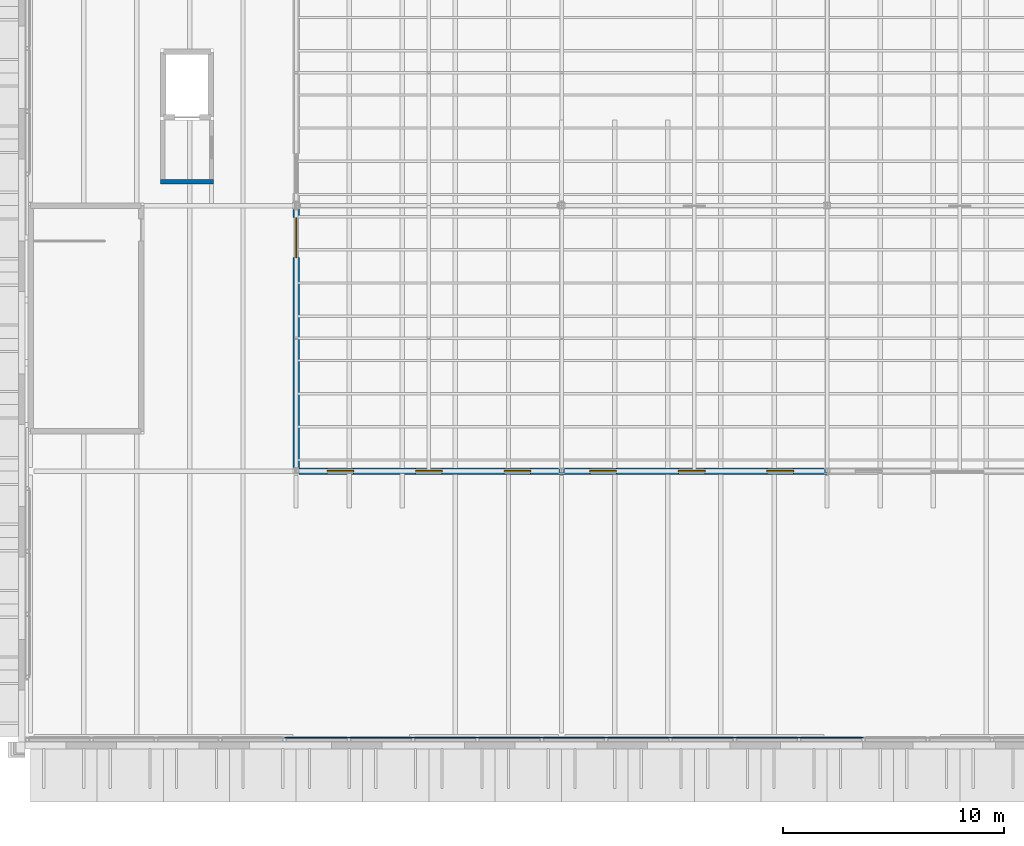
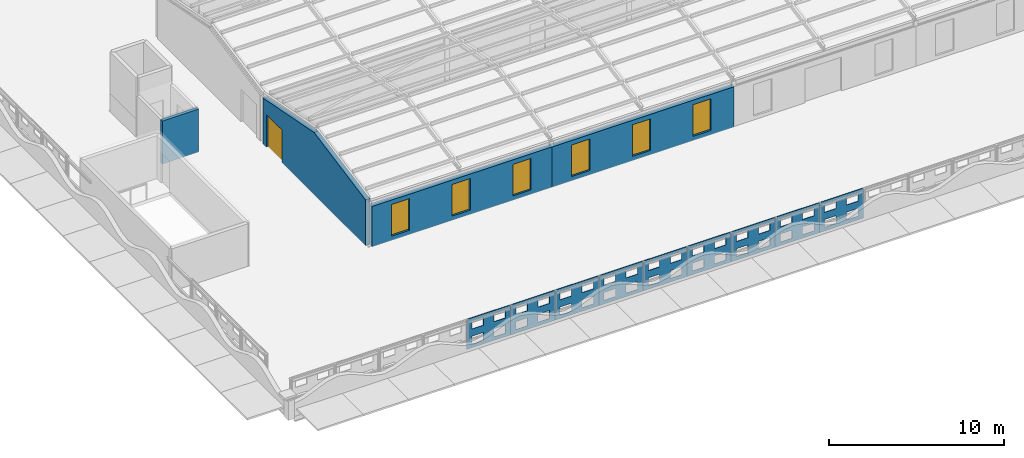
# One storey, part 56 of 91: 13 walls, 6 windows, 1 door, 43 openings.
"""IFC4 building model written with IfcOpenShell, lengths in metres."""

from ifc_helpers import new_model, si_unit, direction, frame, frame_2d, origin, place, context, subcontext, project, spatial, polyline, rectangle, outline, extrude, material, layer, layer_set, type_object, element, fill, save


model = new_model("IFC4")

# Units and contexts
model_context = context("Model", 3, precision=1e-05, world=origin(), true_north=direction((0.0, 1.0)))
body_context = subcontext(model_context, "Body", "Model", "MODEL_VIEW")
ifc_project = project(units=[si_unit("LENGTHUNIT", "METRE"), si_unit("AREAUNIT", "SQUARE_METRE"), si_unit("VOLUMEUNIT", "CUBIC_METRE"), si_unit("PLANEANGLEUNIT", "RADIAN"), si_unit("MASSUNIT", "GRAM", prefix="KILO")], contexts=[model_context])

# Site, building, storey
site_placement = place(None, origin())
site = spatial("IfcSite", under=ifc_project, at=site_placement, CompositionType="ELEMENT")
building_placement = place(site_placement, origin())
building = spatial("IfcBuilding", under=site, at=building_placement, Name="Ravi Spectrum Wholesale Market", CompositionType="ELEMENT")
storey_placement = place(building_placement, frame((0.0, 0.0, 16.199951171875)))
storey = spatial("IfcBuildingStorey", under=building, at=storey_placement, Name="ROOF PLANT LEVEL", CompositionType="ELEMENT", Elevation=16.199951171875)

# Wall
ifc_material_1 = material(Name="Concrete blockwork", Category="masonry")
ifc_layer_1 = layer(ifc_material_1, 0.199951171875)
ifc_layer_set_1 = layer_set([ifc_layer_1], Name="Concrete blockwork")
wall_type_1 = type_object("IfcWallType", Name="Blockwork partition 200 fire", PredefinedType="PARTITIONING", material=ifc_layer_set_1)
wall_1_placement = place(storey_placement, frame((203.875, 43.074951171875, 0.0), z_axis=(0.0, 0.0, 1.0), x_axis=(1.0, 0.0, 0.0)))
element("IfcWall", 1, at=wall_1_placement, inside=storey, type_object=wall_type_1, Name="CS-WL-ROOF-110", PredefinedType="PARTITIONING", context=body_context, shape_type="SweptSolid", body=[
    extrude(rectangle(XDim=2.39990234375, YDim=0.199951171875, at=frame_2d((1.199951171875, 0.0))), origin(), (0.0, 0.0, 1.0), 3.0),
])

# Wall, openings, windows
ifc_material_2 = material(Name="Clinker brickwork", Category="masonry")
ifc_layer_2 = layer(ifc_material_2, 0.300048828125)
ifc_layer_set_2 = layer_set([ifc_layer_2], Name="Clinker brickwork")
wall_type_2 = type_object("IfcWallType", Name="Brick 300 plant house", PredefinedType="SOLIDWALL", material=ifc_layer_set_2)
wall_2_placement = place(storey_placement, frame((210.1201171875, 30.0, 0.0), z_axis=(0.0, 0.0, 1.0), x_axis=(1.0, 0.0, 0.0)))
wall_2 = element("IfcWall", 2, at=wall_2_placement, inside=storey, type_object=wall_type_2, Name="CS-WL-ROOF-112", PredefinedType="SOLIDWALL", context=body_context, shape_type="SweptSolid", body=[
    extrude(rectangle(XDim=11.8798828125, YDim=0.300048828125, at=frame_2d((5.93994140625, 0.0))), origin(), (0.0, 0.0, 1.0), 2.812255859375),
])
opening_1_placement = place(wall_2_placement, frame((1.280029296875, 0.0, 0.300048828125)))
opening_1 = element("IfcOpeningElement", 3, at=opening_1_placement, cuts=wall_2, Name="Opening W2659", PredefinedType="OPENING", context=body_context, shape_type="SweptSolid", body=[
    extrude(rectangle(XDim=1.199951171875, YDim=2.199951171875, at=frame_2d((0.60009765625, 1.10009765625))), frame((0.0, 0.159912109375, 0.0), z_axis=(0.0, -1.0, 0.0), x_axis=(1.0, 0.0, 0.0)), (0.0, 0.0, 1.0), 0.320068359375),
])
opening_2_placement = place(wall_2_placement, frame((5.280029296875, 0.0, 0.300048828125)))
opening_2 = element("IfcOpeningElement", 4, at=opening_2_placement, cuts=wall_2, Name="Opening W2660", PredefinedType="OPENING", context=body_context, shape_type="SweptSolid", body=[
    extrude(rectangle(XDim=1.199951171875, YDim=2.199951171875, at=frame_2d((0.60009765625, 1.10009765625))), frame((0.0, 0.159912109375, 0.0), z_axis=(0.0, -1.0, 0.0), x_axis=(1.0, 0.0, 0.0)), (0.0, 0.0, 1.0), 0.320068359375),
])
opening_3_placement = place(wall_2_placement, frame((9.280029296875, 0.0, 0.300048828125)))
opening_3 = element("IfcOpeningElement", 5, at=opening_3_placement, cuts=wall_2, Name="Opening W2661", PredefinedType="OPENING", context=body_context, shape_type="SweptSolid", body=[
    extrude(rectangle(XDim=1.199951171875, YDim=2.199951171875, at=frame_2d((0.60009765625, 1.10009765625))), frame((0.0, 0.159912109375, 0.0), z_axis=(0.0, -1.0, 0.0), x_axis=(1.0, 0.0, 0.0)), (0.0, 0.0, 1.0), 0.320068359375),
])
ifc_material_3 = material(Name="Galvanised steel louvre", Category="steel")
window_type = type_object("IfcWindowType", Name="Plant louvre 1200 x 2200", PartitioningType="SINGLE_PANEL", PredefinedType="WINDOW", material=ifc_material_3)
window_1_placement = place(opening_1_placement, origin())
window_1 = element("IfcWindow", 6, at=window_1_placement, inside=storey, type_object=window_type, Name="Window W2659", OverallHeight=2.199951171875, OverallWidth=1.199951171875, PartitioningType="SINGLE_PANEL", PredefinedType="WINDOW", context=body_context, shape_type="SweptSolid", body=[
    extrude(rectangle(XDim=1.199951171875, YDim=2.199951171875, at=frame_2d((0.60009765625, 1.10009765625))), frame((0.0, 0.030029296875, 0.0), z_axis=(0.0, -1.0, 0.0), x_axis=(1.0, 0.0, 0.0)), (0.0, 0.0, 1.0), 0.06005859375),
])
fill(opening_1, window_1)
window_2_placement = place(opening_2_placement, origin())
window_2 = element("IfcWindow", 7, at=window_2_placement, inside=storey, type_object=window_type, Name="Window W2660", OverallHeight=2.199951171875, OverallWidth=1.199951171875, PartitioningType="SINGLE_PANEL", PredefinedType="WINDOW", context=body_context, shape_type="SweptSolid", body=[
    extrude(rectangle(XDim=1.199951171875, YDim=2.199951171875, at=frame_2d((0.60009765625, 1.10009765625))), frame((0.0, 0.030029296875, 0.0), z_axis=(0.0, -1.0, 0.0), x_axis=(1.0, 0.0, 0.0)), (0.0, 0.0, 1.0), 0.06005859375),
])
fill(opening_2, window_2)
window_3_placement = place(opening_3_placement, origin())
window_3 = element("IfcWindow", 8, at=window_3_placement, inside=storey, type_object=window_type, Name="Window W2661", OverallHeight=2.199951171875, OverallWidth=1.199951171875, PartitioningType="SINGLE_PANEL", PredefinedType="WINDOW", context=body_context, shape_type="SweptSolid", body=[
    extrude(rectangle(XDim=1.199951171875, YDim=2.199951171875, at=frame_2d((0.60009765625, 1.10009765625))), frame((0.0, 0.030029296875, 0.0), z_axis=(0.0, -1.0, 0.0), x_axis=(1.0, 0.0, 0.0)), (0.0, 0.0, 1.0), 0.06005859375),
])
fill(opening_3, window_3)

wall_3_placement = place(storey_placement, frame((222.0, 30.0, 0.0), z_axis=(0.0, 0.0, 1.0), x_axis=(1.0, 0.0, 0.0)))
wall_3 = element("IfcWall", 9, at=wall_3_placement, inside=storey, type_object=wall_type_2, Name="CS-WL-ROOF-113", PredefinedType="SOLIDWALL", context=body_context, shape_type="SweptSolid", body=[
    extrude(rectangle(XDim=12.0, YDim=0.300048828125, at=frame_2d((6.0, 0.0))), origin(), (0.0, 0.0, 1.0), 2.812255859375),
])
opening_4_placement = place(wall_3_placement, frame((1.280029296875, 0.0, 0.300048828125)))
opening_4 = element("IfcOpeningElement", 10, at=opening_4_placement, cuts=wall_3, Name="Opening W2662", PredefinedType="OPENING", context=body_context, shape_type="SweptSolid", body=[
    extrude(rectangle(XDim=1.199951171875, YDim=2.199951171875, at=frame_2d((0.60009765625, 1.10009765625))), frame((0.0, 0.159912109375, 0.0), z_axis=(0.0, -1.0, 0.0), x_axis=(1.0, 0.0, 0.0)), (0.0, 0.0, 1.0), 0.320068359375),
])
opening_5_placement = place(wall_3_placement, frame((5.280029296875, 0.0, 0.300048828125)))
opening_5 = element("IfcOpeningElement", 11, at=opening_5_placement, cuts=wall_3, Name="Opening W2663", PredefinedType="OPENING", context=body_context, shape_type="SweptSolid", body=[
    extrude(rectangle(XDim=1.199951171875, YDim=2.199951171875, at=frame_2d((0.60009765625, 1.10009765625))), frame((0.0, 0.159912109375, 0.0), z_axis=(0.0, -1.0, 0.0), x_axis=(1.0, 0.0, 0.0)), (0.0, 0.0, 1.0), 0.320068359375),
])
opening_6_placement = place(wall_3_placement, frame((9.280029296875, 0.0, 0.300048828125)))
opening_6 = element("IfcOpeningElement", 12, at=opening_6_placement, cuts=wall_3, Name="Opening W2664", PredefinedType="OPENING", context=body_context, shape_type="SweptSolid", body=[
    extrude(rectangle(XDim=1.199951171875, YDim=2.199951171875, at=frame_2d((0.60009765625, 1.10009765625))), frame((0.0, 0.159912109375, 0.0), z_axis=(0.0, -1.0, 0.0), x_axis=(1.0, 0.0, 0.0)), (0.0, 0.0, 1.0), 0.320068359375),
])
window_4_placement = place(opening_4_placement, origin())
window_4 = element("IfcWindow", 13, at=window_4_placement, inside=storey, type_object=window_type, Name="Window W2662", OverallHeight=2.199951171875, OverallWidth=1.199951171875, PartitioningType="SINGLE_PANEL", PredefinedType="WINDOW", context=body_context, shape_type="SweptSolid", body=[
    extrude(rectangle(XDim=1.199951171875, YDim=2.199951171875, at=frame_2d((0.60009765625, 1.10009765625))), frame((0.0, 0.030029296875, 0.0), z_axis=(0.0, -1.0, 0.0), x_axis=(1.0, 0.0, 0.0)), (0.0, 0.0, 1.0), 0.06005859375),
])
fill(opening_4, window_4)
window_5_placement = place(opening_5_placement, origin())
window_5 = element("IfcWindow", 14, at=window_5_placement, inside=storey, type_object=window_type, Name="Window W2663", OverallHeight=2.199951171875, OverallWidth=1.199951171875, PartitioningType="SINGLE_PANEL", PredefinedType="WINDOW", context=body_context, shape_type="SweptSolid", body=[
    extrude(rectangle(XDim=1.199951171875, YDim=2.199951171875, at=frame_2d((0.60009765625, 1.10009765625))), frame((0.0, 0.030029296875, 0.0), z_axis=(0.0, -1.0, 0.0), x_axis=(1.0, 0.0, 0.0)), (0.0, 0.0, 1.0), 0.06005859375),
])
fill(opening_5, window_5)
window_6_placement = place(opening_6_placement, origin())
window_6 = element("IfcWindow", 15, at=window_6_placement, inside=storey, type_object=window_type, Name="Window W2664", OverallHeight=2.199951171875, OverallWidth=1.199951171875, PartitioningType="SINGLE_PANEL", PredefinedType="WINDOW", context=body_context, shape_type="SweptSolid", body=[
    extrude(rectangle(XDim=1.199951171875, YDim=2.199951171875, at=frame_2d((0.60009765625, 1.10009765625))), frame((0.0, 0.030029296875, 0.0), z_axis=(0.0, -1.0, 0.0), x_axis=(1.0, 0.0, 0.0)), (0.0, 0.0, 1.0), 0.06005859375),
])
fill(opening_6, window_6)

# Wall, opening, door
wall_4_placement = place(storey_placement, frame((210.0, 30.1201171875, 0.0), z_axis=(0.0, 0.0, 1.0), x_axis=(0.0, 1.0, 0.0)))
wall_4 = element("IfcWall", 16, at=wall_4_placement, inside=storey, type_object=wall_type_2, Name="CS-WL-ROOF-122", PredefinedType="SOLIDWALL", context=body_context, shape_type="SweptSolid", body=[
    extrude(outline(polyline([(0.0, 0.0), (11.72998046875, 0.0), (11.72998046875, 3.201416015625), (5.8798828125, 4.33837890625), (0.0, 3.195556640625), (0.0, 0.0)])), frame((0.0, 0.14990234375, 0.0), z_axis=(0.0, -1.0, 0.0), x_axis=(1.0, 0.0, 0.0)), (0.0, 0.0, 1.0), 0.300048828125),
])
opening_7_placement = place(wall_4_placement, frame((9.530029296875, 0.0, 0.0)))
opening_7 = element("IfcOpeningElement", 17, at=opening_7_placement, cuts=wall_4, Name="Opening D548", PredefinedType="OPENING", context=body_context, shape_type="SweptSolid", body=[
    extrude(rectangle(XDim=1.800048828125, YDim=2.300048828125, at=frame_2d((0.89990234375, 1.14990234375))), frame((0.0, 0.159912109375, 0.0), z_axis=(0.0, -1.0, 0.0), x_axis=(1.0, 0.0, 0.0)), (0.0, 0.0, 1.0), 0.320068359375),
])
ifc_material_4 = material(Name="Aluminium glazed door", Category="aluminium")
door_type = type_object("IfcDoorType", Name="Deck door 1800 x 2300", OperationType="DOUBLE_DOOR_SINGLE_SWING", PredefinedType="DOOR", material=ifc_material_4)
door_placement = place(opening_7_placement, origin())
door = element("IfcDoor", 18, at=door_placement, inside=storey, type_object=door_type, Name="Exit door W1", OperationType="DOUBLE_DOOR_SINGLE_SWING", OverallHeight=2.300048828125, OverallWidth=1.800048828125, PredefinedType="DOOR", context=body_context, shape_type="SweptSolid", body=[
    extrude(rectangle(XDim=1.800048828125, YDim=2.300048828125, at=frame_2d((0.89990234375, 1.14990234375))), frame((0.0, 0.02490234375, 0.0), z_axis=(0.0, -1.0, 0.0), x_axis=(1.0, 0.0, 0.0)), (0.0, 0.0, 1.0), 0.050048828125),
])
fill(opening_7, door)

# Wall, openings
ifc_material_5 = material(Name="Aluminium perforated plate", Category="aluminium")
ifc_layer_3 = layer(ifc_material_5, 0.030029296875)
ifc_layer_set_3 = layer_set([ifc_layer_3], Name="Aluminium perforated plate")
wall_type_3 = type_object("IfcWallType", Name="Perforated screen panel 30", PredefinedType="SOLIDWALL", material=ifc_layer_set_3)
wall_5_placement = place(storey_placement, frame((209.4775390625, 17.94921875, 0.300048828125), z_axis=(0.0, 0.0, 1.0), x_axis=(1.0, 0.0, 0.0)))
wall_5 = element("IfcWall", 19, at=wall_5_placement, inside=storey, type_object=wall_type_3, Name="CS-WL-ROOF-025", PredefinedType="SOLIDWALL", context=body_context, shape_type="SweptSolid", body=[
    extrude(rectangle(XDim=2.906982421875, YDim=0.030029296875, at=frame_2d((1.45361328125, 0.0))), origin(), (0.0, 0.0, 1.0), 2.10009765625),
])
opening_8_placement = place(wall_5_placement, frame((0.35009765625, 0.0, 0.25)))
element("IfcOpeningElement", 20, at=opening_8_placement, cuts=wall_5, Name="Opening CS-OP-ROOF-017", PredefinedType="OPENING", context=body_context, shape_type="SweptSolid", body=[
    extrude(rectangle(XDim=0.75341796875, YDim=0.550048828125, at=frame_2d((0.376708984375, 0.27490234375))), frame((0.0, 0.02490234375, 0.0), z_axis=(0.0, -1.0, 0.0), x_axis=(1.0, 0.0, 0.0)), (0.0, 0.0, 1.0), 0.050048828125),
])
opening_9_placement = place(wall_5_placement, frame((0.35009765625, 0.0, 1.300048828125)))
element("IfcOpeningElement", 21, at=opening_9_placement, cuts=wall_5, Name="Opening CS-OP-ROOF-018", PredefinedType="OPENING", context=body_context, shape_type="SweptSolid", body=[
    extrude(rectangle(XDim=0.75341796875, YDim=0.550048828125, at=frame_2d((0.376708984375, 0.27490234375))), frame((0.0, 0.02490234375, 0.0), z_axis=(0.0, -1.0, 0.0), x_axis=(1.0, 0.0, 0.0)), (0.0, 0.0, 1.0), 0.050048828125),
])
opening_10_placement = place(wall_5_placement, frame((1.803466796875, 0.0, 0.25)))
element("IfcOpeningElement", 22, at=opening_10_placement, cuts=wall_5, Name="Opening CS-OP-ROOF-019", PredefinedType="OPENING", context=body_context, shape_type="SweptSolid", body=[
    extrude(rectangle(XDim=0.75341796875, YDim=0.550048828125, at=frame_2d((0.376708984375, 0.27490234375))), frame((0.0, 0.02490234375, 0.0), z_axis=(0.0, -1.0, 0.0), x_axis=(1.0, 0.0, 0.0)), (0.0, 0.0, 1.0), 0.050048828125),
])
opening_11_placement = place(wall_5_placement, frame((1.803466796875, 0.0, 1.300048828125)))
element("IfcOpeningElement", 23, at=opening_11_placement, cuts=wall_5, Name="Opening CS-OP-ROOF-020", PredefinedType="OPENING", context=body_context, shape_type="SweptSolid", body=[
    extrude(rectangle(XDim=0.75341796875, YDim=0.550048828125, at=frame_2d((0.376708984375, 0.27490234375))), frame((0.0, 0.02490234375, 0.0), z_axis=(0.0, -1.0, 0.0), x_axis=(1.0, 0.0, 0.0)), (0.0, 0.0, 1.0), 0.050048828125),
])

wall_6_placement = place(storey_placement, frame((212.384521484375, 17.94921875, 0.300048828125), z_axis=(0.0, 0.0, 1.0), x_axis=(1.0, 0.0, 0.0)))
wall_6 = element("IfcWall", 24, at=wall_6_placement, inside=storey, type_object=wall_type_3, Name="CS-WL-ROOF-026", PredefinedType="SOLIDWALL", context=body_context, shape_type="SweptSolid", body=[
    extrude(rectangle(XDim=2.90673828125, YDim=0.030029296875, at=frame_2d((1.453369140625, 0.0))), origin(), (0.0, 0.0, 1.0), 2.10009765625),
])
opening_12_placement = place(wall_6_placement, frame((0.35009765625, 0.0, 0.25)))
element("IfcOpeningElement", 25, at=opening_12_placement, cuts=wall_6, Name="Opening CS-OP-ROOF-021", PredefinedType="OPENING", context=body_context, shape_type="SweptSolid", body=[
    extrude(rectangle(XDim=0.75341796875, YDim=0.550048828125, at=frame_2d((0.376708984375, 0.27490234375))), frame((0.0, 0.02490234375, 0.0), z_axis=(0.0, -1.0, 0.0), x_axis=(1.0, 0.0, 0.0)), (0.0, 0.0, 1.0), 0.050048828125),
])
opening_13_placement = place(wall_6_placement, frame((0.35009765625, 0.0, 1.300048828125)))
element("IfcOpeningElement", 26, at=opening_13_placement, cuts=wall_6, Name="Opening CS-OP-ROOF-022", PredefinedType="OPENING", context=body_context, shape_type="SweptSolid", body=[
    extrude(rectangle(XDim=0.75341796875, YDim=0.550048828125, at=frame_2d((0.376708984375, 0.27490234375))), frame((0.0, 0.02490234375, 0.0), z_axis=(0.0, -1.0, 0.0), x_axis=(1.0, 0.0, 0.0)), (0.0, 0.0, 1.0), 0.050048828125),
])
opening_14_placement = place(wall_6_placement, frame((1.803466796875, 0.0, 0.25)))
element("IfcOpeningElement", 27, at=opening_14_placement, cuts=wall_6, Name="Opening CS-OP-ROOF-023", PredefinedType="OPENING", context=body_context, shape_type="SweptSolid", body=[
    extrude(rectangle(XDim=0.75341796875, YDim=0.550048828125, at=frame_2d((0.376708984375, 0.27490234375))), frame((0.0, 0.02490234375, 0.0), z_axis=(0.0, -1.0, 0.0), x_axis=(1.0, 0.0, 0.0)), (0.0, 0.0, 1.0), 0.050048828125),
])
opening_15_placement = place(wall_6_placement, frame((1.803466796875, 0.0, 1.300048828125)))
element("IfcOpeningElement", 28, at=opening_15_placement, cuts=wall_6, Name="Opening CS-OP-ROOF-024", PredefinedType="OPENING", context=body_context, shape_type="SweptSolid", body=[
    extrude(rectangle(XDim=0.75341796875, YDim=0.550048828125, at=frame_2d((0.376708984375, 0.27490234375))), frame((0.0, 0.02490234375, 0.0), z_axis=(0.0, -1.0, 0.0), x_axis=(1.0, 0.0, 0.0)), (0.0, 0.0, 1.0), 0.050048828125),
])

wall_7_placement = place(storey_placement, frame((215.291259765625, 17.94921875, 0.300048828125), z_axis=(0.0, 0.0, 1.0), x_axis=(1.0, 0.0, 0.0)))
wall_7 = element("IfcWall", 29, at=wall_7_placement, inside=storey, type_object=wall_type_3, Name="CS-WL-ROOF-027", PredefinedType="SOLIDWALL", context=body_context, shape_type="SweptSolid", body=[
    extrude(rectangle(XDim=2.906982421875, YDim=0.030029296875, at=frame_2d((1.45361328125, 0.0))), origin(), (0.0, 0.0, 1.0), 2.10009765625),
])
opening_16_placement = place(wall_7_placement, frame((0.35009765625, 0.0, 0.25)))
element("IfcOpeningElement", 30, at=opening_16_placement, cuts=wall_7, Name="Opening CS-OP-ROOF-025", PredefinedType="OPENING", context=body_context, shape_type="SweptSolid", body=[
    extrude(rectangle(XDim=0.75341796875, YDim=0.550048828125, at=frame_2d((0.376708984375, 0.27490234375))), frame((0.0, 0.02490234375, 0.0), z_axis=(0.0, -1.0, 0.0), x_axis=(1.0, 0.0, 0.0)), (0.0, 0.0, 1.0), 0.050048828125),
])
opening_17_placement = place(wall_7_placement, frame((0.35009765625, 0.0, 1.300048828125)))
element("IfcOpeningElement", 31, at=opening_17_placement, cuts=wall_7, Name="Opening CS-OP-ROOF-026", PredefinedType="OPENING", context=body_context, shape_type="SweptSolid", body=[
    extrude(rectangle(XDim=0.75341796875, YDim=0.550048828125, at=frame_2d((0.376708984375, 0.27490234375))), frame((0.0, 0.02490234375, 0.0), z_axis=(0.0, -1.0, 0.0), x_axis=(1.0, 0.0, 0.0)), (0.0, 0.0, 1.0), 0.050048828125),
])
opening_18_placement = place(wall_7_placement, frame((1.803466796875, 0.0, 0.25)))
element("IfcOpeningElement", 32, at=opening_18_placement, cuts=wall_7, Name="Opening CS-OP-ROOF-027", PredefinedType="OPENING", context=body_context, shape_type="SweptSolid", body=[
    extrude(rectangle(XDim=0.75341796875, YDim=0.550048828125, at=frame_2d((0.376708984375, 0.27490234375))), frame((0.0, 0.02490234375, 0.0), z_axis=(0.0, -1.0, 0.0), x_axis=(1.0, 0.0, 0.0)), (0.0, 0.0, 1.0), 0.050048828125),
])
opening_19_placement = place(wall_7_placement, frame((1.803466796875, 0.0, 1.300048828125)))
element("IfcOpeningElement", 33, at=opening_19_placement, cuts=wall_7, Name="Opening CS-OP-ROOF-028", PredefinedType="OPENING", context=body_context, shape_type="SweptSolid", body=[
    extrude(rectangle(XDim=0.75341796875, YDim=0.550048828125, at=frame_2d((0.376708984375, 0.27490234375))), frame((0.0, 0.02490234375, 0.0), z_axis=(0.0, -1.0, 0.0), x_axis=(1.0, 0.0, 0.0)), (0.0, 0.0, 1.0), 0.050048828125),
])

wall_8_placement = place(storey_placement, frame((218.1982421875, 17.94921875, 0.300048828125), z_axis=(0.0, 0.0, 1.0), x_axis=(1.0, 0.0, 0.0)))
wall_8 = element("IfcWall", 34, at=wall_8_placement, inside=storey, type_object=wall_type_3, Name="CS-WL-ROOF-028", PredefinedType="SOLIDWALL", context=body_context, shape_type="SweptSolid", body=[
    extrude(rectangle(XDim=2.906982421875, YDim=0.030029296875, at=frame_2d((1.45361328125, 0.0))), origin(), (0.0, 0.0, 1.0), 2.10009765625),
])
opening_20_placement = place(wall_8_placement, frame((0.35009765625, 0.0, 0.25)))
element("IfcOpeningElement", 35, at=opening_20_placement, cuts=wall_8, Name="Opening CS-OP-ROOF-029", PredefinedType="OPENING", context=body_context, shape_type="SweptSolid", body=[
    extrude(rectangle(XDim=0.75341796875, YDim=0.550048828125, at=frame_2d((0.376708984375, 0.27490234375))), frame((0.0, 0.02490234375, 0.0), z_axis=(0.0, -1.0, 0.0), x_axis=(1.0, 0.0, 0.0)), (0.0, 0.0, 1.0), 0.050048828125),
])
opening_21_placement = place(wall_8_placement, frame((0.35009765625, 0.0, 1.300048828125)))
element("IfcOpeningElement", 36, at=opening_21_placement, cuts=wall_8, Name="Opening CS-OP-ROOF-030", PredefinedType="OPENING", context=body_context, shape_type="SweptSolid", body=[
    extrude(rectangle(XDim=0.75341796875, YDim=0.550048828125, at=frame_2d((0.376708984375, 0.27490234375))), frame((0.0, 0.02490234375, 0.0), z_axis=(0.0, -1.0, 0.0), x_axis=(1.0, 0.0, 0.0)), (0.0, 0.0, 1.0), 0.050048828125),
])
opening_22_placement = place(wall_8_placement, frame((1.803466796875, 0.0, 0.25)))
element("IfcOpeningElement", 37, at=opening_22_placement, cuts=wall_8, Name="Opening CS-OP-ROOF-031", PredefinedType="OPENING", context=body_context, shape_type="SweptSolid", body=[
    extrude(rectangle(XDim=0.75341796875, YDim=0.550048828125, at=frame_2d((0.376708984375, 0.27490234375))), frame((0.0, 0.02490234375, 0.0), z_axis=(0.0, -1.0, 0.0), x_axis=(1.0, 0.0, 0.0)), (0.0, 0.0, 1.0), 0.050048828125),
])
opening_23_placement = place(wall_8_placement, frame((1.803466796875, 0.0, 1.300048828125)))
element("IfcOpeningElement", 38, at=opening_23_placement, cuts=wall_8, Name="Opening CS-OP-ROOF-032", PredefinedType="OPENING", context=body_context, shape_type="SweptSolid", body=[
    extrude(rectangle(XDim=0.75341796875, YDim=0.550048828125, at=frame_2d((0.376708984375, 0.27490234375))), frame((0.0, 0.02490234375, 0.0), z_axis=(0.0, -1.0, 0.0), x_axis=(1.0, 0.0, 0.0)), (0.0, 0.0, 1.0), 0.050048828125),
])

wall_9_placement = place(storey_placement, frame((221.105224609375, 17.94921875, 0.300048828125), z_axis=(0.0, 0.0, 1.0), x_axis=(1.0, 0.0, 0.0)))
wall_9 = element("IfcWall", 39, at=wall_9_placement, inside=storey, type_object=wall_type_3, Name="CS-WL-ROOF-029", PredefinedType="SOLIDWALL", context=body_context, shape_type="SweptSolid", body=[
    extrude(rectangle(XDim=2.90673828125, YDim=0.030029296875, at=frame_2d((1.453369140625, 0.0))), origin(), (0.0, 0.0, 1.0), 2.10009765625),
])
opening_24_placement = place(wall_9_placement, frame((0.35009765625, 0.0, 0.25)))
element("IfcOpeningElement", 40, at=opening_24_placement, cuts=wall_9, Name="Opening CS-OP-ROOF-033", PredefinedType="OPENING", context=body_context, shape_type="SweptSolid", body=[
    extrude(rectangle(XDim=0.75341796875, YDim=0.550048828125, at=frame_2d((0.376708984375, 0.27490234375))), frame((0.0, 0.02490234375, 0.0), z_axis=(0.0, -1.0, 0.0), x_axis=(1.0, 0.0, 0.0)), (0.0, 0.0, 1.0), 0.050048828125),
])
opening_25_placement = place(wall_9_placement, frame((0.35009765625, 0.0, 1.300048828125)))
element("IfcOpeningElement", 41, at=opening_25_placement, cuts=wall_9, Name="Opening CS-OP-ROOF-034", PredefinedType="OPENING", context=body_context, shape_type="SweptSolid", body=[
    extrude(rectangle(XDim=0.75341796875, YDim=0.550048828125, at=frame_2d((0.376708984375, 0.27490234375))), frame((0.0, 0.02490234375, 0.0), z_axis=(0.0, -1.0, 0.0), x_axis=(1.0, 0.0, 0.0)), (0.0, 0.0, 1.0), 0.050048828125),
])
opening_26_placement = place(wall_9_placement, frame((1.803466796875, 0.0, 0.25)))
element("IfcOpeningElement", 42, at=opening_26_placement, cuts=wall_9, Name="Opening CS-OP-ROOF-035", PredefinedType="OPENING", context=body_context, shape_type="SweptSolid", body=[
    extrude(rectangle(XDim=0.75341796875, YDim=0.550048828125, at=frame_2d((0.376708984375, 0.27490234375))), frame((0.0, 0.02490234375, 0.0), z_axis=(0.0, -1.0, 0.0), x_axis=(1.0, 0.0, 0.0)), (0.0, 0.0, 1.0), 0.050048828125),
])
opening_27_placement = place(wall_9_placement, frame((1.803466796875, 0.0, 1.300048828125)))
element("IfcOpeningElement", 43, at=opening_27_placement, cuts=wall_9, Name="Opening CS-OP-ROOF-036", PredefinedType="OPENING", context=body_context, shape_type="SweptSolid", body=[
    extrude(rectangle(XDim=0.75341796875, YDim=0.550048828125, at=frame_2d((0.376708984375, 0.27490234375))), frame((0.0, 0.02490234375, 0.0), z_axis=(0.0, -1.0, 0.0), x_axis=(1.0, 0.0, 0.0)), (0.0, 0.0, 1.0), 0.050048828125),
])

wall_10_placement = place(storey_placement, frame((224.011962890625, 17.94921875, 0.300048828125), z_axis=(0.0, 0.0, 1.0), x_axis=(1.0, 0.0, 0.0)))
wall_10 = element("IfcWall", 44, at=wall_10_placement, inside=storey, type_object=wall_type_3, Name="CS-WL-ROOF-030", PredefinedType="SOLIDWALL", context=body_context, shape_type="SweptSolid", body=[
    extrude(rectangle(XDim=2.906982421875, YDim=0.030029296875, at=frame_2d((1.45361328125, 0.0))), origin(), (0.0, 0.0, 1.0), 2.10009765625),
])
opening_28_placement = place(wall_10_placement, frame((0.35009765625, 0.0, 0.25)))
element("IfcOpeningElement", 45, at=opening_28_placement, cuts=wall_10, Name="Opening CS-OP-ROOF-037", PredefinedType="OPENING", context=body_context, shape_type="SweptSolid", body=[
    extrude(rectangle(XDim=0.75341796875, YDim=0.550048828125, at=frame_2d((0.376708984375, 0.27490234375))), frame((0.0, 0.02490234375, 0.0), z_axis=(0.0, -1.0, 0.0), x_axis=(1.0, 0.0, 0.0)), (0.0, 0.0, 1.0), 0.050048828125),
])
opening_29_placement = place(wall_10_placement, frame((0.35009765625, 0.0, 1.300048828125)))
element("IfcOpeningElement", 46, at=opening_29_placement, cuts=wall_10, Name="Opening CS-OP-ROOF-038", PredefinedType="OPENING", context=body_context, shape_type="SweptSolid", body=[
    extrude(rectangle(XDim=0.75341796875, YDim=0.550048828125, at=frame_2d((0.376708984375, 0.27490234375))), frame((0.0, 0.02490234375, 0.0), z_axis=(0.0, -1.0, 0.0), x_axis=(1.0, 0.0, 0.0)), (0.0, 0.0, 1.0), 0.050048828125),
])
opening_30_placement = place(wall_10_placement, frame((1.803466796875, 0.0, 0.25)))
element("IfcOpeningElement", 47, at=opening_30_placement, cuts=wall_10, Name="Opening CS-OP-ROOF-039", PredefinedType="OPENING", context=body_context, shape_type="SweptSolid", body=[
    extrude(rectangle(XDim=0.75341796875, YDim=0.550048828125, at=frame_2d((0.376708984375, 0.27490234375))), frame((0.0, 0.02490234375, 0.0), z_axis=(0.0, -1.0, 0.0), x_axis=(1.0, 0.0, 0.0)), (0.0, 0.0, 1.0), 0.050048828125),
])
opening_31_placement = place(wall_10_placement, frame((1.803466796875, 0.0, 1.300048828125)))
element("IfcOpeningElement", 48, at=opening_31_placement, cuts=wall_10, Name="Opening CS-OP-ROOF-040", PredefinedType="OPENING", context=body_context, shape_type="SweptSolid", body=[
    extrude(rectangle(XDim=0.75341796875, YDim=0.550048828125, at=frame_2d((0.376708984375, 0.27490234375))), frame((0.0, 0.02490234375, 0.0), z_axis=(0.0, -1.0, 0.0), x_axis=(1.0, 0.0, 0.0)), (0.0, 0.0, 1.0), 0.050048828125),
])

wall_11_placement = place(storey_placement, frame((226.9189453125, 17.94921875, 0.300048828125), z_axis=(0.0, 0.0, 1.0), x_axis=(1.0, 0.0, 0.0)))
wall_11 = element("IfcWall", 49, at=wall_11_placement, inside=storey, type_object=wall_type_3, Name="CS-WL-ROOF-031", PredefinedType="SOLIDWALL", context=body_context, shape_type="SweptSolid", body=[
    extrude(rectangle(XDim=2.906982421875, YDim=0.030029296875, at=frame_2d((1.45361328125, 0.0))), origin(), (0.0, 0.0, 1.0), 2.10009765625),
])
opening_32_placement = place(wall_11_placement, frame((0.35009765625, 0.0, 0.25)))
element("IfcOpeningElement", 50, at=opening_32_placement, cuts=wall_11, Name="Opening CS-OP-ROOF-041", PredefinedType="OPENING", context=body_context, shape_type="SweptSolid", body=[
    extrude(rectangle(XDim=0.75341796875, YDim=0.550048828125, at=frame_2d((0.376708984375, 0.27490234375))), frame((0.0, 0.02490234375, 0.0), z_axis=(0.0, -1.0, 0.0), x_axis=(1.0, 0.0, 0.0)), (0.0, 0.0, 1.0), 0.050048828125),
])
opening_33_placement = place(wall_11_placement, frame((0.35009765625, 0.0, 1.300048828125)))
element("IfcOpeningElement", 51, at=opening_33_placement, cuts=wall_11, Name="Opening CS-OP-ROOF-042", PredefinedType="OPENING", context=body_context, shape_type="SweptSolid", body=[
    extrude(rectangle(XDim=0.75341796875, YDim=0.550048828125, at=frame_2d((0.376708984375, 0.27490234375))), frame((0.0, 0.02490234375, 0.0), z_axis=(0.0, -1.0, 0.0), x_axis=(1.0, 0.0, 0.0)), (0.0, 0.0, 1.0), 0.050048828125),
])
opening_34_placement = place(wall_11_placement, frame((1.803466796875, 0.0, 0.25)))
element("IfcOpeningElement", 52, at=opening_34_placement, cuts=wall_11, Name="Opening CS-OP-ROOF-043", PredefinedType="OPENING", context=body_context, shape_type="SweptSolid", body=[
    extrude(rectangle(XDim=0.75341796875, YDim=0.550048828125, at=frame_2d((0.376708984375, 0.27490234375))), frame((0.0, 0.02490234375, 0.0), z_axis=(0.0, -1.0, 0.0), x_axis=(1.0, 0.0, 0.0)), (0.0, 0.0, 1.0), 0.050048828125),
])
opening_35_placement = place(wall_11_placement, frame((1.803466796875, 0.0, 1.300048828125)))
element("IfcOpeningElement", 53, at=opening_35_placement, cuts=wall_11, Name="Opening CS-OP-ROOF-044", PredefinedType="OPENING", context=body_context, shape_type="SweptSolid", body=[
    extrude(rectangle(XDim=0.75341796875, YDim=0.550048828125, at=frame_2d((0.376708984375, 0.27490234375))), frame((0.0, 0.02490234375, 0.0), z_axis=(0.0, -1.0, 0.0), x_axis=(1.0, 0.0, 0.0)), (0.0, 0.0, 1.0), 0.050048828125),
])

wall_12_placement = place(storey_placement, frame((229.825927734375, 17.94921875, 0.300048828125), z_axis=(0.0, 0.0, 1.0), x_axis=(1.0, 0.0, 0.0)))
wall_12 = element("IfcWall", 54, at=wall_12_placement, inside=storey, type_object=wall_type_3, Name="CS-WL-ROOF-032", PredefinedType="SOLIDWALL", context=body_context, shape_type="SweptSolid", body=[
    extrude(rectangle(XDim=2.90673828125, YDim=0.030029296875, at=frame_2d((1.453369140625, 0.0))), origin(), (0.0, 0.0, 1.0), 2.10009765625),
])
opening_36_placement = place(wall_12_placement, frame((0.35009765625, 0.0, 0.25)))
element("IfcOpeningElement", 55, at=opening_36_placement, cuts=wall_12, Name="Opening CS-OP-ROOF-045", PredefinedType="OPENING", context=body_context, shape_type="SweptSolid", body=[
    extrude(rectangle(XDim=0.75341796875, YDim=0.550048828125, at=frame_2d((0.376708984375, 0.27490234375))), frame((0.0, 0.02490234375, 0.0), z_axis=(0.0, -1.0, 0.0), x_axis=(1.0, 0.0, 0.0)), (0.0, 0.0, 1.0), 0.050048828125),
])
opening_37_placement = place(wall_12_placement, frame((0.35009765625, 0.0, 1.300048828125)))
element("IfcOpeningElement", 56, at=opening_37_placement, cuts=wall_12, Name="Opening CS-OP-ROOF-046", PredefinedType="OPENING", context=body_context, shape_type="SweptSolid", body=[
    extrude(rectangle(XDim=0.75341796875, YDim=0.550048828125, at=frame_2d((0.376708984375, 0.27490234375))), frame((0.0, 0.02490234375, 0.0), z_axis=(0.0, -1.0, 0.0), x_axis=(1.0, 0.0, 0.0)), (0.0, 0.0, 1.0), 0.050048828125),
])
opening_38_placement = place(wall_12_placement, frame((1.803466796875, 0.0, 0.25)))
element("IfcOpeningElement", 57, at=opening_38_placement, cuts=wall_12, Name="Opening CS-OP-ROOF-047", PredefinedType="OPENING", context=body_context, shape_type="SweptSolid", body=[
    extrude(rectangle(XDim=0.75341796875, YDim=0.550048828125, at=frame_2d((0.376708984375, 0.27490234375))), frame((0.0, 0.02490234375, 0.0), z_axis=(0.0, -1.0, 0.0), x_axis=(1.0, 0.0, 0.0)), (0.0, 0.0, 1.0), 0.050048828125),
])
opening_39_placement = place(wall_12_placement, frame((1.803466796875, 0.0, 1.300048828125)))
element("IfcOpeningElement", 58, at=opening_39_placement, cuts=wall_12, Name="Opening CS-OP-ROOF-048", PredefinedType="OPENING", context=body_context, shape_type="SweptSolid", body=[
    extrude(rectangle(XDim=0.75341796875, YDim=0.550048828125, at=frame_2d((0.376708984375, 0.27490234375))), frame((0.0, 0.02490234375, 0.0), z_axis=(0.0, -1.0, 0.0), x_axis=(1.0, 0.0, 0.0)), (0.0, 0.0, 1.0), 0.050048828125),
])

wall_13_placement = place(storey_placement, frame((232.732666015625, 17.94921875, 0.300048828125), z_axis=(0.0, 0.0, 1.0), x_axis=(1.0, 0.0, 0.0)))
wall_13 = element("IfcWall", 59, at=wall_13_placement, inside=storey, type_object=wall_type_3, Name="CS-WL-ROOF-033", PredefinedType="SOLIDWALL", context=body_context, shape_type="SweptSolid", body=[
    extrude(rectangle(XDim=2.906982421875, YDim=0.030029296875, at=frame_2d((1.45361328125, 0.0))), origin(), (0.0, 0.0, 1.0), 2.10009765625),
])
opening_40_placement = place(wall_13_placement, frame((0.35009765625, 0.0, 0.25)))
element("IfcOpeningElement", 60, at=opening_40_placement, cuts=wall_13, Name="Opening CS-OP-ROOF-049", PredefinedType="OPENING", context=body_context, shape_type="SweptSolid", body=[
    extrude(rectangle(XDim=0.75341796875, YDim=0.550048828125, at=frame_2d((0.376708984375, 0.27490234375))), frame((0.0, 0.02490234375, 0.0), z_axis=(0.0, -1.0, 0.0), x_axis=(1.0, 0.0, 0.0)), (0.0, 0.0, 1.0), 0.050048828125),
])
opening_41_placement = place(wall_13_placement, frame((0.35009765625, 0.0, 1.300048828125)))
element("IfcOpeningElement", 61, at=opening_41_placement, cuts=wall_13, Name="Opening CS-OP-ROOF-050", PredefinedType="OPENING", context=body_context, shape_type="SweptSolid", body=[
    extrude(rectangle(XDim=0.75341796875, YDim=0.550048828125, at=frame_2d((0.376708984375, 0.27490234375))), frame((0.0, 0.02490234375, 0.0), z_axis=(0.0, -1.0, 0.0), x_axis=(1.0, 0.0, 0.0)), (0.0, 0.0, 1.0), 0.050048828125),
])
opening_42_placement = place(wall_13_placement, frame((1.803466796875, 0.0, 0.25)))
element("IfcOpeningElement", 62, at=opening_42_placement, cuts=wall_13, Name="Opening CS-OP-ROOF-051", PredefinedType="OPENING", context=body_context, shape_type="SweptSolid", body=[
    extrude(rectangle(XDim=0.75341796875, YDim=0.550048828125, at=frame_2d((0.376708984375, 0.27490234375))), frame((0.0, 0.02490234375, 0.0), z_axis=(0.0, -1.0, 0.0), x_axis=(1.0, 0.0, 0.0)), (0.0, 0.0, 1.0), 0.050048828125),
])
opening_43_placement = place(wall_13_placement, frame((1.803466796875, 0.0, 1.300048828125)))
element("IfcOpeningElement", 63, at=opening_43_placement, cuts=wall_13, Name="Opening CS-OP-ROOF-052", PredefinedType="OPENING", context=body_context, shape_type="SweptSolid", body=[
    extrude(rectangle(XDim=0.75341796875, YDim=0.550048828125, at=frame_2d((0.376708984375, 0.27490234375))), frame((0.0, 0.02490234375, 0.0), z_axis=(0.0, -1.0, 0.0), x_axis=(1.0, 0.0, 0.0)), (0.0, 0.0, 1.0), 0.050048828125),
])

save(model, "model.ifc")
